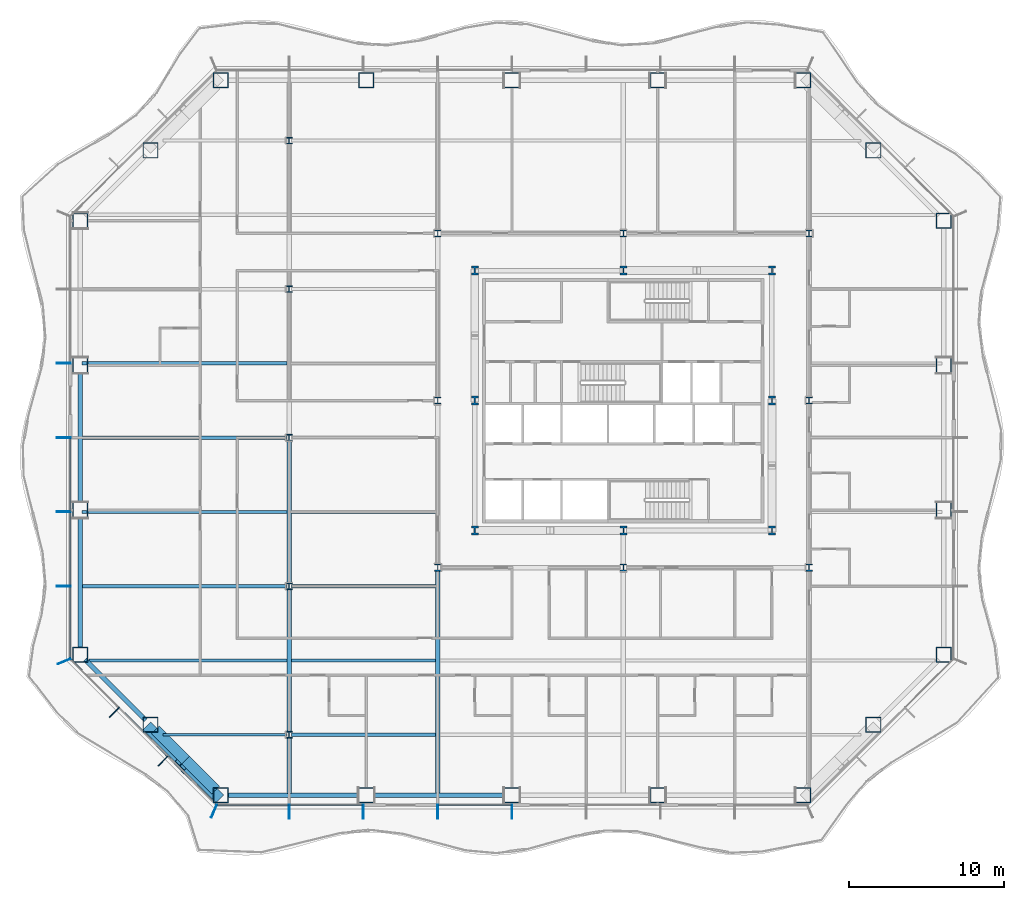
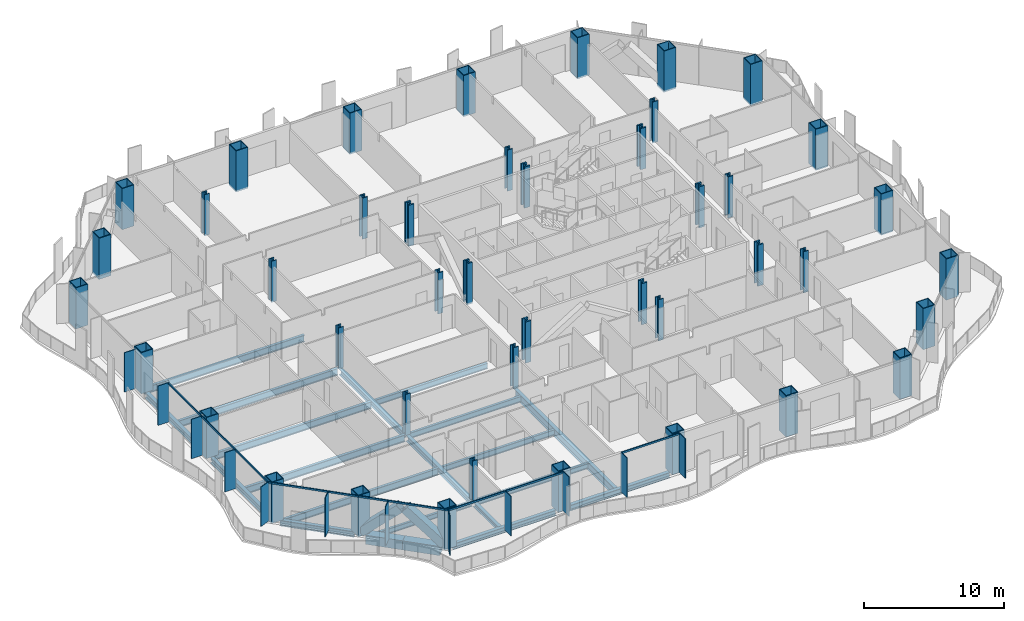
# One storey, part 1 of 21: 43 columns, 23 members, 21 beams, 3 elements without a shape of their own.
"""IFC4 building model written with IfcOpenShell, lengths in metres."""

import ifcopenshell
import ifcopenshell.guid

model = None  # the IFC model being written
_history = None  # IfcOwnerHistory: only IFC2X3 demands one
_inside = {}  # id of a spatial element -> (the spatial element, [elements in it])
_under = {}  # id of a project, library or spatial element -> (it, [spatial elements below it])
_declared = {}  # id of a project -> (the project, [libraries it declares])
_typed = {}  # id of a type object -> (the type object, [elements of that type])
_made_of = {}  # id of a material, layer set ... -> (it, [elements and type objects made of it])


def new_model(schema):
    """Start an empty IFC model of exactly this schema.

    Asked for "IFC4X3", IfcOpenShell would pick the latest addendum, in which some entities
    have other attributes; the version numbers below select the first issue.
    IFC2X3 requires an IfcOwnerHistory on every rooted entity: one is made here for all.
    """
    global model, _history
    if schema == "IFC4X3":
        model = ifcopenshell.file(schema_version=(4, 3, 0, 0))
    else:
        model = ifcopenshell.file(schema=schema)
    _inside.clear()
    _under.clear()
    _declared.clear()
    _typed.clear()
    _made_of.clear()
    _history = None
    if model.schema == "IFC2X3":
        org = make("IfcOrganization", Name="unknown")
        user = make(
            "IfcPersonAndOrganization",
            ThePerson=make("IfcPerson", FamilyName="unknown"),
            TheOrganization=org,
        )
        app = make(
            "IfcApplication",
            ApplicationDeveloper=org,
            Version="unknown",
            ApplicationFullName="unknown",
            ApplicationIdentifier="unknown",
        )
        _history = make(
            "IfcOwnerHistory",
            OwningUser=user,
            OwningApplication=app,
            ChangeAction="ADDED",
            CreationDate=0,
        )
    return model


def make(cls, **values):
    """One entity of the class cls with the attributes given. An attribute that is None is left unset."""
    return model.create_entity(
        cls, **{name: value for name, value in values.items() if value is not None}
    )


def rooted(cls, **values):
    """An entity with a GlobalId (a new one), such as an element, a storey or a relation."""
    return make(cls, GlobalId=ifcopenshell.guid.new(), OwnerHistory=_history, **values)


def si_unit(unit_type, name, prefix=None):
    """IfcSIUnit, for example si_unit("LENGTHUNIT", "METRE", prefix="MILLI")."""
    return make("IfcSIUnit", UnitType=unit_type, Prefix=prefix, Name=name)


def assignment(units):
    """IfcUnitAssignment: the units of a project."""
    return None if units is None else make("IfcUnitAssignment", Units=units)


def point(xyz):
    """IfcCartesianPoint."""
    return None if xyz is None else make("IfcCartesianPoint", Coordinates=xyz)


def direction(xyz):
    """IfcDirection."""
    return None if xyz is None else make("IfcDirection", DirectionRatios=xyz)


def frame(location, z_axis=None, x_axis=None):
    """IfcAxis2Placement3D, a coordinate frame: its origin and axes. An axis left out is left unset."""
    return make(
        "IfcAxis2Placement3D",
        Location=point(location),
        Axis=direction(z_axis),
        RefDirection=direction(x_axis),
    )


def frame_2d(location, x_axis=None):
    """IfcAxis2Placement2D, a coordinate frame in the plane: its origin and x axis."""
    return make(
        "IfcAxis2Placement2D", Location=point(location), RefDirection=direction(x_axis)
    )


def origin():
    """The frame at (0, 0, 0) with its axes left unset."""
    return frame((0.0, 0.0, 0.0))


def origin_2d():
    """The frame at (0, 0) in the plane with its x axis left unset."""
    return frame_2d((0.0, 0.0))


def place(relative_to, where):
    """IfcLocalPlacement: puts the frame where relative to a parent placement (None: the world)."""
    return make(
        "IfcLocalPlacement", PlacementRelTo=relative_to, RelativePlacement=where
    )


def context(
    kind, dimensions, precision=None, world=None, true_north=None, identifier=None
):
    """IfcGeometricRepresentationContext, for example the 3D "Model" context."""
    return make(
        "IfcGeometricRepresentationContext",
        ContextIdentifier=identifier,
        ContextType=kind,
        CoordinateSpaceDimension=dimensions,
        Precision=precision,
        WorldCoordinateSystem=world,
        TrueNorth=true_north,
    )


def subcontext(parent, identifier, kind, view, scale=None):
    """IfcGeometricRepresentationSubContext, for example "Body" below "Model"."""
    return make(
        "IfcGeometricRepresentationSubContext",
        ContextIdentifier=identifier,
        ContextType=kind,
        ParentContext=parent,
        TargetScale=scale,
        TargetView=view,
    )


def project(units=None, contexts=None):
    """IfcProject with its units and contexts."""
    return rooted(
        "IfcProject",
        Name="project",
        RepresentationContexts=contexts,
        UnitsInContext=assignment(units),
    )


def spatial(cls, under=None, at=None, **own):
    """A site, building, storey or space (cls), placed at a placement, below another one or the project."""
    s = rooted(cls, ObjectPlacement=at, **own)
    if under is not None:
        _under.setdefault(under.id(), (under, []))[1].append(s)
    return s


def profile(cls, at=None, kind="AREA", **sizes):
    """A parametric profile (cls). Its sizes go by their IFC names, for example OverallWidth=200.0."""
    return make(cls, ProfileType=kind, Position=at, **sizes)


def rectangle(**sizes):
    """IfcRectangleProfileDef."""
    return profile("IfcRectangleProfileDef", **sizes)


def hollow_rectangle(**sizes):
    """IfcRectangleHollowProfileDef."""
    return profile("IfcRectangleHollowProfileDef", **sizes)


def i_section(**sizes):
    """IfcIShapeProfileDef."""
    return profile("IfcIShapeProfileDef", **sizes)


def extrude(swept, where, along, depth):
    """IfcExtrudedAreaSolid: the profile swept, set in the frame where, extruded along a direction by depth."""
    return make(
        "IfcExtrudedAreaSolid",
        SweptArea=swept,
        Position=where,
        ExtrudedDirection=direction(along),
        Depth=depth,
    )


def shape(context_of_items, identifier, shape_type, items):
    """IfcShapeRepresentation: the items that make up one representation, for example the "Body"."""
    return make(
        "IfcShapeRepresentation",
        ContextOfItems=context_of_items,
        RepresentationIdentifier=identifier,
        RepresentationType=shape_type,
        Items=items,
    )


def material(Name=None, Category=None):
    """IfcMaterial."""
    return make("IfcMaterial", Name=Name, Category=Category)


def material_profile(
    of_material, cross_section, Name=None, Category=None, Priority=None
):
    """IfcMaterialProfile: a cross section and its material."""
    return make(
        "IfcMaterialProfile",
        Name=Name,
        Material=of_material,
        Profile=cross_section,
        Priority=Priority,
        Category=Category,
    )


def profile_set(profiles, Name=None, composite=None):
    """IfcMaterialProfileSet."""
    return make(
        "IfcMaterialProfileSet",
        Name=Name,
        MaterialProfiles=profiles,
        CompositeProfile=composite,
    )


def made_of(thing, what):
    """Note that an element or type object is made of a material, layer set ...; save() writes the relation."""
    if what is not None:
        _made_of.setdefault(what.id(), (what, []))[1].append(thing)
    return thing


def type_object(cls, material=None, **own):
    """A type object (cls), such as IfcWallType, which elements share."""
    return made_of(rooted(cls, **own), material)


def element(
    cls,
    number,
    at=None,
    inside=None,
    cuts=None,
    type_object=None,
    material=None,
    context=None,
    identifier="Body",
    shape_type=None,
    held_by="IfcProductDefinitionShape",
    body=None,
    shapes=None,
    **own,
):
    """One element of the class cls, such as IfcWall. Its Tag is "e" and its number.

    at: its placement. inside: the storey or other place that contains it. cuts: it is an
    opening in that element (IfcRelVoidsElement). A single representation is given by context,
    identifier, shape_type and body (its items); several are given by shapes. held_by: the class
    of the entity that holds the representations. save() writes the other relations.
    """
    e = rooted(cls, Tag="e%d" % number, ObjectPlacement=at, **own)
    if body is not None:
        shapes = [shape(context, identifier, shape_type, body)]
    if shapes is not None:
        e.Representation = make(held_by, Representations=shapes)
    if inside is not None:
        _inside.setdefault(inside.id(), (inside, []))[1].append(e)
    if cuts is not None:
        rooted(
            "IfcRelVoidsElement", RelatingBuildingElement=cuts, RelatedOpeningElement=e
        )
    if type_object is not None:
        _typed.setdefault(type_object.id(), (type_object, []))[1].append(e)
    return made_of(e, material)


def aggregate(whole, parts):
    """IfcRelAggregates: a whole, such as a stair, and the parts it consists of."""
    return rooted("IfcRelAggregates", RelatingObject=whole, RelatedObjects=parts)


def save(model, path):
    """Write the relations noted so far, then the file.

    IfcRelAggregates (storeys below a building ...), IfcRelContainedInSpatialStructure (elements
    in a storey), IfcRelDefinesByType, IfcRelAssociatesMaterial and IfcRelDeclares: one each for
    every whole, place, type object, material and project.
    """
    for whole, parts in _under.values():
        aggregate(whole, parts)
    for where, things in _inside.values():
        rooted(
            "IfcRelContainedInSpatialStructure",
            RelatedElements=things,
            RelatingStructure=where,
        )
    for kind, things in _typed.values():
        rooted("IfcRelDefinesByType", RelatedObjects=things, RelatingType=kind)
    for what, things in _made_of.values():
        rooted("IfcRelAssociatesMaterial", RelatedObjects=things, RelatingMaterial=what)
    for by, libraries in _declared.values():
        rooted("IfcRelDeclares", RelatingContext=by, RelatedDefinitions=libraries)
    model.write(path)


model = new_model("IFC4")

# Units and contexts
model_context = context("Model", 3, precision=1e-05, world=origin(), true_north=direction((0.0, 1.0)))
body_context = subcontext(model_context, "Body", "Model", "MODEL_VIEW")
ifc_project = project(units=[si_unit("LENGTHUNIT", "METRE"), si_unit("AREAUNIT", "SQUARE_METRE"), si_unit("VOLUMEUNIT", "CUBIC_METRE"), si_unit("PLANEANGLEUNIT", "RADIAN"), si_unit("MASSUNIT", "GRAM", prefix="KILO")], contexts=[model_context])

# Site, building, storey
site_placement = place(None, origin())
site = spatial("IfcSite", under=ifc_project, at=site_placement, CompositionType="ELEMENT")
building_placement = place(site_placement, origin())
building = spatial("IfcBuilding", under=site, at=building_placement, Name="Cairn Pilgrim Tower", CompositionType="ELEMENT")
storey_placement = place(building_placement, frame((0.0, 0.0, 47.39990234375)))
storey = spatial("IfcBuildingStorey", under=building, at=storey_placement, Name="L09", CompositionType="ELEMENT", Elevation=47.39990234375)

# Columns
ifc_material_1 = material(Name="Structural steel S460M", Category="steel")
ifc_material_profile_1 = material_profile(ifc_material_1, hollow_rectangle(XDim=1.0, YDim=1.0, WallThickness=0.06005859375, at=origin_2d()), Name="BOX 1000x1000x60")
ifc_profile_set_1 = profile_set([ifc_material_profile_1], Name="Structural steel S460M")
column_type_1 = type_object("IfcColumnType", Name="BOX 1000x1000x60", PredefinedType="COLUMN", material=ifc_profile_set_1)
for number, where, z_axis, x_axis, name in (
    (1, (-18.8271484375, -23.10009765625, -0.14990234375), (0.0, 0.0, 1.0), (1.0, 0.0, 0.0), "PC1-S1"),
    (2, (-9.41357421875, -23.10009765625, -0.14990234375), (0.0, 0.0, 1.0), (1.0, 0.0, 0.0), "PC1-S2"),
    (3, (0.0, -23.10009765625, -0.14990234375), (0.0, 0.0, 1.0), (1.0, 0.0, 0.0), "PC1-S3"),
    (4, (9.41357421875, -23.10009765625, -0.14990234375), (0.0, 0.0, 1.0), (1.0, 0.0, 0.0), "PC1-S4"),
    (5, (18.8271484375, -23.10009765625, -0.14990234375), (0.0, 0.0, 1.0), (1.0, 0.0, 0.0), "PC1-SE1"),
    (6, (23.363525390625, -18.563720703125, -0.14990234375), (0.0, 0.0, 1.0), (1.0, 0.0, 0.0), "PC1-SE2"),
    (7, (27.89990234375, -14.027099609375, -0.14990234375), (0.0, 0.0, 1.0), (1.0, 0.0, 0.0), "PC1-E1"),
    (8, (27.89990234375, -4.67578125, -0.14990234375), (0.0, 0.0, 1.0), (1.0, 0.0, 0.0), "PC1-E2"),
    (9, (27.89990234375, 4.67578125, -0.14990234375), (0.0, 0.0, 1.0), (1.0, 0.0, 0.0), "PC1-E3"),
    (10, (27.89990234375, 14.027099609375, -0.14990234375), (0.0, 0.0, 1.0), (1.0, 0.0, 0.0), "PC1-NE1"),
    (11, (23.363525390625, 18.563720703125, -0.14990234375), (0.0, 0.0, 1.0), (1.0, 0.0, 0.0), "PC1-NE2"),
    (12, (18.8271484375, 23.10009765625, -0.14990234375), (0.0, 0.0, 1.0), (1.0, 0.0, 0.0), "PC1-N1"),
    (13, (9.41357421875, 23.10009765625, -0.14990234375), (0.0, 0.0, 1.0), (1.0, 0.0, 0.0), "PC1-N2"),
    (14, (0.0, 23.10009765625, -0.14990234375), (0.0, 0.0, 1.0), (1.0, 0.0, 0.0), "PC1-N3"),
    (15, (-9.41357421875, 23.10009765625, -0.14990234375), (0.0, 0.0, 1.0), (1.0, 0.0, 0.0), "PC1-N4"),
    (16, (-18.8271484375, 23.10009765625, -0.14990234375), (0.0, 0.0, 1.0), (1.0, 0.0, 0.0), "PC1-NW1"),
    (17, (-23.363525390625, 18.563720703125, -0.14990234375), (0.0, 0.0, 1.0), (1.0, 0.0, 0.0), "PC1-NW2"),
    (18, (-27.89990234375, 14.027099609375, -0.14990234375), (0.0, 0.0, 1.0), (1.0, 0.0, 0.0), "PC1-W1"),
    (19, (-27.89990234375, 4.67578125, -0.14990234375), (0.0, 0.0, 1.0), (1.0, 0.0, 0.0), "PC1-W2"),
    (20, (-27.89990234375, -4.67578125, -0.14990234375), (0.0, 0.0, 1.0), (1.0, 0.0, 0.0), "PC1-W3"),
    (21, (-27.89990234375, -14.027099609375, -0.14990234375), (0.0, 0.0, 1.0), (1.0, 0.0, 0.0), "PC1-SW1"),
    (22, (-23.363525390625, -18.563720703125, -0.14990234375), (0.0, 0.0, 1.0), (1.0, 0.0, 0.0), "PC1-SW2"),
):
    element("IfcColumn", number, at=place(storey_placement, frame(where, z_axis=z_axis, x_axis=x_axis)), inside=storey, type_object=column_type_1, Name=name, PredefinedType="COLUMN", context=body_context, shape_type="SweptSolid", body=[
        extrude(hollow_rectangle(XDim=1.0, YDim=1.0, WallThickness=0.06005859375, at=origin_2d()), origin(), (0.0, 0.0, 1.0), 3.60009765625),
    ])
ifc_material_profile_2 = material_profile(ifc_material_1, i_section(OverallWidth=0.4541015625, OverallDepth=0.569091796875, WebThickness=0.077880859375, FlangeThickness=0.125, FilletRadius=0.014892578125, at=origin_2d()), Name="HD 400x1086")
ifc_profile_set_2 = profile_set([ifc_material_profile_2], Name="Structural steel S460M")
column_type_2 = type_object("IfcColumnType", Name="HD 400x1086", PredefinedType="COLUMN", material=ifc_profile_set_2)
for number, where, z_axis, x_axis, name in (
    (23, (-2.39990234375, -6.0, -0.14990234375), (0.0, 0.0, 1.0), (1.0, 0.0, 0.0), "KC-1"),
    (24, (7.199951171875, -6.0, -0.14990234375), (0.0, 0.0, 1.0), (1.0, 0.0, 0.0), "KC-2"),
    (25, (16.800048828125, -6.0, -0.14990234375), (0.0, 0.0, 1.0), (1.0, 0.0, 0.0), "KC-3"),
    (26, (-2.39990234375, 2.39990234375, -0.14990234375), (0.0, 0.0, 1.0), (1.0, 0.0, 0.0), "KC-4"),
    (27, (16.800048828125, 2.39990234375, -0.14990234375), (0.0, 0.0, 1.0), (1.0, 0.0, 0.0), "KC-5"),
    (28, (-2.39990234375, 10.800048828125, -0.14990234375), (0.0, 0.0, 1.0), (1.0, 0.0, 0.0), "KC-6"),
    (29, (7.199951171875, 10.800048828125, -0.14990234375), (0.0, 0.0, 1.0), (1.0, 0.0, 0.0), "KC-7"),
    (30, (16.800048828125, 10.800048828125, -0.14990234375), (0.0, 0.0, 1.0), (1.0, 0.0, 0.0), "KC-8"),
):
    element("IfcColumn", number, at=place(storey_placement, frame(where, z_axis=z_axis, x_axis=x_axis)), inside=storey, type_object=column_type_2, Name=name, PredefinedType="COLUMN", context=body_context, shape_type="SweptSolid", body=[
        extrude(i_section(OverallWidth=0.4541015625, OverallDepth=0.569091796875, WebThickness=0.077880859375, FlangeThickness=0.125, FilletRadius=0.014892578125, at=origin_2d()), origin(), (0.0, 0.0, 1.0), 3.60009765625),
    ])
ifc_material_profile_3 = material_profile(ifc_material_1, i_section(OverallWidth=0.408935546875, OverallDepth=0.425048828125, WebThickness=0.03271484375, FlangeThickness=0.052490234375, FilletRadius=0.014892578125, at=origin_2d()), Name="HD 400x421")
ifc_profile_set_3 = profile_set([ifc_material_profile_3], Name="Structural steel S460M")
column_type_3 = type_object("IfcColumnType", Name="HD 400x421", PredefinedType="COLUMN", material=ifc_profile_set_3)
for number, where, z_axis, x_axis, name in (
    (31, (-14.39990234375, -19.199951171875, -0.14990234375), (0.0, 0.0, 1.0), (1.0, 0.0, 0.0), "WC-WW-4"),
    (32, (-14.39990234375, -9.60009765625, -0.14990234375), (0.0, 0.0, 1.0), (1.0, 0.0, 0.0), "WC-WW-2"),
    (33, (-14.39990234375, 0.0, -0.14990234375), (0.0, 0.0, 1.0), (1.0, 0.0, 0.0), "WC-WW+0"),
    (34, (-14.39990234375, 9.60009765625, -0.14990234375), (0.0, 0.0, 1.0), (1.0, 0.0, 0.0), "WC-WW+2"),
    (35, (-14.39990234375, 19.199951171875, -0.14990234375), (0.0, 0.0, 1.0), (1.0, 0.0, 0.0), "WC-WW+4"),
):
    element("IfcColumn", number, at=place(storey_placement, frame(where, z_axis=z_axis, x_axis=x_axis)), inside=storey, type_object=column_type_3, Name=name, PredefinedType="COLUMN", context=body_context, shape_type="SweptSolid", body=[
        extrude(i_section(OverallWidth=0.408935546875, OverallDepth=0.425048828125, WebThickness=0.03271484375, FlangeThickness=0.052490234375, FilletRadius=0.014892578125, at=origin_2d()), origin(), (0.0, 0.0, 1.0), 3.60009765625),
    ])
ifc_material_profile_4 = material_profile(ifc_material_1, i_section(OverallWidth=0.424072265625, OverallDepth=0.47412109375, WebThickness=0.047607421875, FlangeThickness=0.0771484375, FilletRadius=0.014892578125, at=origin_2d()), Name="HD 400x634")
ifc_profile_set_4 = profile_set([ifc_material_profile_4], Name="Structural steel S460M")
column_type_4 = type_object("IfcColumnType", Name="HD 400x634", PredefinedType="COLUMN", material=ifc_profile_set_4)
for number, where, z_axis, x_axis, name in (
    (36, (-4.800048828125, -8.39990234375, -0.14990234375), (0.0, 0.0, 1.0), (1.0, 0.0, 0.0), "IC-1"),
    (37, (7.199951171875, -8.39990234375, -0.14990234375), (0.0, 0.0, 1.0), (1.0, 0.0, 0.0), "IC-2"),
    (38, (19.199951171875, -8.39990234375, -0.14990234375), (0.0, 0.0, 1.0), (1.0, 0.0, 0.0), "IC-3"),
    (39, (-4.800048828125, 2.39990234375, -0.14990234375), (0.0, 0.0, 1.0), (1.0, 0.0, 0.0), "IC-4"),
    (40, (19.199951171875, 2.39990234375, -0.14990234375), (0.0, 0.0, 1.0), (1.0, 0.0, 0.0), "IC-5"),
    (41, (-4.800048828125, 13.199951171875, -0.14990234375), (0.0, 0.0, 1.0), (1.0, 0.0, 0.0), "IC-6"),
    (42, (7.199951171875, 13.199951171875, -0.14990234375), (0.0, 0.0, 1.0), (1.0, 0.0, 0.0), "IC-7"),
    (43, (19.199951171875, 13.199951171875, -0.14990234375), (0.0, 0.0, 1.0), (1.0, 0.0, 0.0), "IC-8"),
):
    element("IfcColumn", number, at=place(storey_placement, frame(where, z_axis=z_axis, x_axis=x_axis)), inside=storey, type_object=column_type_4, Name=name, PredefinedType="COLUMN", context=body_context, shape_type="SweptSolid", body=[
        extrude(i_section(OverallWidth=0.424072265625, OverallDepth=0.47412109375, WebThickness=0.047607421875, FlangeThickness=0.0771484375, FilletRadius=0.014892578125, at=origin_2d()), origin(), (0.0, 0.0, 1.0), 3.60009765625),
    ])

# Members
ifc_material_profile_5 = material_profile(ifc_material_1, hollow_rectangle(XDim=0.699951171875, YDim=0.699951171875, WallThickness=0.0400390625, at=origin_2d()), Name="BOX 700x700x40")
ifc_profile_set_5 = profile_set([ifc_material_profile_5], Name="Structural steel S460M")
member_type_1 = type_object("IfcMemberType", Name="BOX 700x700x40 BRACE", PredefinedType="BRACE", material=ifc_profile_set_5)
member_1_placement = place(storey_placement, frame((-23.44482421875, -18.786376953125, 0.150146484375), z_axis=(0.528090425698, -0.528090425698, 0.665012033404), x_axis=(0.707106781187, 0.707106781187, 0.0)))
element("IfcMember", 44, at=member_1_placement, inside=storey, type_object=member_type_1, Name="XB-SW2-S1-1", PredefinedType="BRACE", context=body_context, shape_type="SweptSolid", body=[
    extrude(hollow_rectangle(XDim=0.699951171875, YDim=0.699951171875, WallThickness=0.0400390625, at=origin_2d()), origin(), (0.0, 0.0, 1.0), 3.899658203125),
])
member_2_placement = place(storey_placement, frame((-19.0498046875, -23.181396484375, 0.150146484375), z_axis=(-0.528118110354, 0.528118110354, 0.664968061663), x_axis=(-0.707106781187, -0.707106781187, 0.0)))
element("IfcMember", 45, at=member_2_placement, inside=storey, type_object=member_type_1, Name="XB-SW2-S1-2", PredefinedType="BRACE", context=body_context, shape_type="SweptSolid", body=[
    extrude(hollow_rectangle(XDim=0.699951171875, YDim=0.699951171875, WallThickness=0.0400390625, at=origin_2d()), origin(), (0.0, 0.0, 1.0), 3.89990234375),
])

# Beams
ifc_material_2 = material(Name="Structural steel S355J2", Category="steel")
ifc_material_profile_6 = material_profile(ifc_material_2, hollow_rectangle(XDim=0.699951171875, YDim=0.800048828125, WallThickness=0.0400390625, at=origin_2d()), Name="BOX 700x800x40")
ifc_profile_set_6 = profile_set([ifc_material_profile_6], Name="Structural steel S355J2")
beam_type_1 = type_object("IfcBeamType", Name="BOX 700x800x40 RING GIRDER", PredefinedType="SPANDREL", material=ifc_profile_set_6)
for number, where, z_axis, x_axis, name in (
    (46, (-23.04541015625, -18.8818359375, -0.5498046875), (0.707106781187, -0.707106781187, 0.0), (0.707106781187, 0.707106781187, 0.0), "RG1-SW2-S1-1"),
    (47, (-21.095458984375, -20.831787109375, -0.5498046875), (0.707106781187, -0.707106781187, 0.0), (0.707106781187, 0.707106781187, 0.0), "RG1-SW2-S1-2"),
):
    element("IfcBeam", number, at=place(storey_placement, frame(where, z_axis=z_axis, x_axis=x_axis)), inside=storey, type_object=beam_type_1, Name=name, PredefinedType="SPANDREL", context=body_context, shape_type="SweptSolid", body=[
        extrude(hollow_rectangle(XDim=0.699951171875, YDim=0.800048828125, WallThickness=0.0400390625, at=origin_2d()), origin(), (0.0, 0.0, 1.0), 2.757568359375),
    ])

# Curtain wall, members
ifc_material_3 = material(Name="Aluminium alloy 6063-T6 bronze anodised with Bronze tinted laminated low-E glass 8+16+8.8", Category="aluminium")
curtain_wall_type_1 = type_object("IfcCurtainWallType", Name="TOWER STICK CURTAIN WALL NS", PredefinedType="NOTDEFINED", material=ifc_material_3)
curtain_wall_1_placement = place(storey_placement, origin())
curtain_wall_1 = element("IfcCurtainWall", 48, at=curtain_wall_1_placement, inside=storey, type_object=curtain_wall_type_1, Name="Tower Stick Curtain Wall Ns S", PredefinedType="NOTDEFINED")
ifc_material_4 = material(Name="Aluminium alloy 6063-T6 bronze anodised", Category="aluminium")
ifc_material_profile_7 = material_profile(ifc_material_4, rectangle(XDim=0.89990234375, YDim=0.06005859375, at=origin_2d()), Name="FIN MULLION 60x900 BRONZE")
ifc_profile_set_7 = profile_set([ifc_material_profile_7], Name="Aluminium alloy 6063-T6 bronze anodised")
member_type_2 = type_object("IfcMemberType", Name="FIN MULLION 60x900 BRONZE", PredefinedType="MULLION", material=ifc_profile_set_7)
member_3_placement = place(storey_placement, frame((-19.257080078125, -24.137939453125, 0.0), z_axis=(0.0, 0.0, 1.0), x_axis=(-0.382683432365, -0.923879532511, 0.0)))
member_3 = element("IfcMember", 49, at=member_3_placement, type_object=member_type_2, Name="Fin mullion S1", PredefinedType="MULLION", context=body_context, shape_type="SweptSolid", body=[
    extrude(rectangle(XDim=0.89990234375, YDim=0.06005859375, at=origin_2d()), origin(), (0.0, 0.0, 1.0), 3.4501953125),
])
member_4_placement = place(storey_placement, frame((-14.39990234375, -24.169921875, 0.0), z_axis=(0.0, 0.0, 1.0), x_axis=(0.0, -1.0, 0.0)))
member_4 = element("IfcMember", 50, at=member_4_placement, type_object=member_type_2, Name="Fin mullion S2", PredefinedType="MULLION", context=body_context, shape_type="SweptSolid", body=[
    extrude(rectangle(XDim=0.89990234375, YDim=0.06005859375, at=origin_2d()), origin(), (0.0, 0.0, 1.0), 3.4501953125),
])
member_5_placement = place(storey_placement, frame((-9.60009765625, -24.169921875, 0.0), z_axis=(0.0, 0.0, 1.0), x_axis=(0.0, -1.0, 0.0)))
member_5 = element("IfcMember", 51, at=member_5_placement, type_object=member_type_2, Name="Fin mullion S3", PredefinedType="MULLION", context=body_context, shape_type="SweptSolid", body=[
    extrude(rectangle(XDim=0.89990234375, YDim=0.06005859375, at=origin_2d()), origin(), (0.0, 0.0, 1.0), 3.4501953125),
])
member_6_placement = place(storey_placement, frame((-4.800048828125, -24.169921875, 0.0), z_axis=(0.0, 0.0, 1.0), x_axis=(0.0, -1.0, 0.0)))
member_6 = element("IfcMember", 52, at=member_6_placement, type_object=member_type_2, Name="Fin mullion S4", PredefinedType="MULLION", context=body_context, shape_type="SweptSolid", body=[
    extrude(rectangle(XDim=0.89990234375, YDim=0.06005859375, at=origin_2d()), origin(), (0.0, 0.0, 1.0), 3.4501953125),
])
member_7_placement = place(storey_placement, frame((0.0, -24.169921875, 0.0), z_axis=(0.0, 0.0, 1.0), x_axis=(0.0, -1.0, 0.0)))
member_7 = element("IfcMember", 53, at=member_7_placement, type_object=member_type_2, Name="Fin mullion S5", PredefinedType="MULLION", context=body_context, shape_type="SweptSolid", body=[
    extrude(rectangle(XDim=0.89990234375, YDim=0.06005859375, at=origin_2d()), origin(), (0.0, 0.0, 1.0), 3.4501953125),
])

curtain_wall_type_2 = type_object("IfcCurtainWallType", Name="TOWER STICK CURTAIN WALL EW", PredefinedType="NOTDEFINED", material=ifc_material_3)
curtain_wall_2_placement = place(storey_placement, origin())
curtain_wall_2 = element("IfcCurtainWall", 54, at=curtain_wall_2_placement, inside=storey, type_object=curtain_wall_type_2, Name="Tower Stick Curtain Wall Ew W", PredefinedType="NOTDEFINED")
member_8_placement = place(storey_placement, frame((-28.969970703125, 4.800048828125, 0.0), z_axis=(0.0, 0.0, 1.0), x_axis=(-1.0, 0.0, 0.0)))
member_8 = element("IfcMember", 55, at=member_8_placement, type_object=member_type_2, Name="Fin mullion W3", PredefinedType="MULLION", context=body_context, shape_type="SweptSolid", body=[
    extrude(rectangle(XDim=0.89990234375, YDim=0.06005859375, at=origin_2d()), origin(), (0.0, 0.0, 1.0), 3.4501953125),
])
member_9_placement = place(storey_placement, frame((-28.969970703125, 0.0, 0.0), z_axis=(0.0, 0.0, 1.0), x_axis=(-1.0, 0.0, 0.0)))
member_9 = element("IfcMember", 56, at=member_9_placement, type_object=member_type_2, Name="Fin mullion W4", PredefinedType="MULLION", context=body_context, shape_type="SweptSolid", body=[
    extrude(rectangle(XDim=0.89990234375, YDim=0.06005859375, at=origin_2d()), origin(), (0.0, 0.0, 1.0), 3.4501953125),
])
member_10_placement = place(storey_placement, frame((-28.969970703125, -4.800048828125, 0.0), z_axis=(0.0, 0.0, 1.0), x_axis=(-1.0, 0.0, 0.0)))
member_10 = element("IfcMember", 57, at=member_10_placement, type_object=member_type_2, Name="Fin mullion W5", PredefinedType="MULLION", context=body_context, shape_type="SweptSolid", body=[
    extrude(rectangle(XDim=0.89990234375, YDim=0.06005859375, at=origin_2d()), origin(), (0.0, 0.0, 1.0), 3.4501953125),
])
member_11_placement = place(storey_placement, frame((-28.969970703125, -9.60009765625, 0.0), z_axis=(0.0, 0.0, 1.0), x_axis=(-1.0, 0.0, 0.0)))
member_11 = element("IfcMember", 58, at=member_11_placement, type_object=member_type_2, Name="Fin mullion W6", PredefinedType="MULLION", context=body_context, shape_type="SweptSolid", body=[
    extrude(rectangle(XDim=0.89990234375, YDim=0.06005859375, at=origin_2d()), origin(), (0.0, 0.0, 1.0), 3.4501953125),
])

curtain_wall_type_3 = type_object("IfcCurtainWallType", Name="CHAMFER CORNER CURTAIN WALL", PredefinedType="NOTDEFINED", material=ifc_material_3)
curtain_wall_3_placement = place(storey_placement, origin())
curtain_wall_3 = element("IfcCurtainWall", 59, at=curtain_wall_3_placement, inside=storey, type_object=curtain_wall_type_3, Name="Chamfer Corner Curtain Wall SW", PredefinedType="NOTDEFINED")
member_12_placement = place(storey_placement, frame((-28.93798828125, -14.457275390625, 0.0), z_axis=(0.0, 0.0, 1.0), x_axis=(-0.923879532511, -0.382683432365, 0.0)))
member_12 = element("IfcMember", 60, at=member_12_placement, type_object=member_type_2, Name="Fin mullion SW1", PredefinedType="MULLION", context=body_context, shape_type="SweptSolid", body=[
    extrude(rectangle(XDim=0.89990234375, YDim=0.06005859375, at=origin_2d()), origin(), (0.0, 0.0, 1.0), 3.4501953125),
])
member_13_placement = place(storey_placement, frame((-25.69580078125, -17.74462890625, 0.0), z_axis=(0.0, 0.0, 1.0), x_axis=(-0.707106781187, -0.707106781187, 0.0)))
member_13 = element("IfcMember", 61, at=member_13_placement, type_object=member_type_2, Name="Fin mullion SW2", PredefinedType="MULLION", context=body_context, shape_type="SweptSolid", body=[
    extrude(rectangle(XDim=0.89990234375, YDim=0.06005859375, at=origin_2d()), origin(), (0.0, 0.0, 1.0), 3.4501953125),
])
member_14_placement = place(storey_placement, frame((-22.544677734375, -20.895751953125, 0.0), z_axis=(0.0, 0.0, 1.0), x_axis=(-0.707106781187, -0.707106781187, 0.0)))
member_14 = element("IfcMember", 62, at=member_14_placement, type_object=member_type_2, Name="Fin mullion SW3", PredefinedType="MULLION", context=body_context, shape_type="SweptSolid", body=[
    extrude(rectangle(XDim=0.89990234375, YDim=0.06005859375, at=origin_2d()), origin(), (0.0, 0.0, 1.0), 3.4501953125),
])

# Beams
ifc_material_profile_8 = material_profile(ifc_material_2, i_section(OverallWidth=0.300048828125, OverallDepth=0.39990234375, WebThickness=0.013427734375, FlangeThickness=0.02392578125, FilletRadius=0.027099609375, at=origin_2d()), Name="HEB 400")
ifc_profile_set_8 = profile_set([ifc_material_profile_8], Name="Structural steel S355J2")
beam_type_2 = type_object("IfcBeamType", Name="HEB 400 GIRDER", PredefinedType="BEAM", material=ifc_profile_set_8)
beam_1_placement = place(storey_placement, frame((-14.39990234375, -22.97998046875, -0.349853515625), z_axis=(0.0, 1.0, 0.0), x_axis=(-1.0, 0.0, 0.0)))
element("IfcBeam", 63, at=beam_1_placement, inside=storey, type_object=beam_type_2, Name="PG1-1", PredefinedType="BEAM", context=body_context, shape_type="SweptSolid", body=[
    extrude(i_section(OverallWidth=0.300048828125, OverallDepth=0.39990234375, WebThickness=0.013427734375, FlangeThickness=0.02392578125, FilletRadius=0.027099609375, at=origin_2d()), origin(), (0.0, 0.0, 1.0), 3.575439453125),
])
ifc_material_profile_9 = material_profile(ifc_material_2, i_section(OverallWidth=0.300048828125, OverallDepth=0.5, WebThickness=0.014404296875, FlangeThickness=0.028076171875, FilletRadius=0.027099609375, at=origin_2d()), Name="HEB 500")
ifc_profile_set_9 = profile_set([ifc_material_profile_9], Name="Structural steel S355J2")
beam_type_3 = type_object("IfcBeamType", Name="HEB 500 GIRDER", PredefinedType="BEAM", material=ifc_profile_set_9)
beam_2_placement = place(storey_placement, frame((-14.39990234375, -18.99560546875, -0.39990234375), z_axis=(0.0, 1.0, 0.0), x_axis=(-1.0, 0.0, 0.0)))
element("IfcBeam", 64, at=beam_2_placement, inside=storey, type_object=beam_type_3, Name="PG1-2", PredefinedType="BEAM", context=body_context, shape_type="SweptSolid", body=[
    extrude(i_section(OverallWidth=0.300048828125, OverallDepth=0.5, WebThickness=0.014404296875, FlangeThickness=0.028076171875, FilletRadius=0.027099609375, at=origin_2d()), origin(), (0.0, 0.0, 1.0), 9.191162109375),
])
beam_3_placement = place(storey_placement, frame((-14.39990234375, -9.3955078125, -0.39990234375), z_axis=(0.0, 1.0, 0.0), x_axis=(-1.0, 0.0, 0.0)))
element("IfcBeam", 65, at=beam_3_placement, inside=storey, type_object=beam_type_3, Name="PG1-3", PredefinedType="BEAM", context=body_context, shape_type="SweptSolid", body=[
    extrude(i_section(OverallWidth=0.300048828125, OverallDepth=0.5, WebThickness=0.014404296875, FlangeThickness=0.028076171875, FilletRadius=0.027099609375, at=origin_2d()), origin(), (0.0, 0.0, 1.0), 9.19091796875),
])
ifc_material_profile_10 = material_profile(ifc_material_2, i_section(OverallWidth=0.300048828125, OverallDepth=0.5, WebThickness=0.014404296875, FlangeThickness=0.028076171875, FilletRadius=0.027099609375, at=origin_2d()), Name="HEB 500")
ifc_profile_set_10 = profile_set([ifc_material_profile_10], Name="Structural steel S355J2")
beam_type_4 = type_object("IfcBeamType", Name="HEB 500 RING GIRDER", PredefinedType="SPANDREL", material=ifc_profile_set_10)
for number, where, z_axis, x_axis, name in (
    (66, (-18.377197265625, -23.10009765625, -0.39990234375), (1.0, 0.0, 0.0), (0.0, 1.0, 0.0), "RG1-S1-S2"),
    (67, (-8.963623046875, -23.10009765625, -0.39990234375), (1.0, 0.0, 0.0), (0.0, 1.0, 0.0), "RG1-S2-S3"),
):
    element("IfcBeam", number, at=place(storey_placement, frame(where, z_axis=z_axis, x_axis=x_axis)), inside=storey, type_object=beam_type_4, Name=name, PredefinedType="SPANDREL", context=body_context, shape_type="SweptSolid", body=[
        extrude(i_section(OverallWidth=0.300048828125, OverallDepth=0.5, WebThickness=0.014404296875, FlangeThickness=0.028076171875, FilletRadius=0.027099609375, at=origin_2d()), origin(), (0.0, 0.0, 1.0), 8.513671875),
    ])
beam_4_placement = place(storey_placement, frame((-27.89990234375, 4.2255859375, -0.39990234375), z_axis=(0.0, -1.0, 0.0), x_axis=(1.0, 0.0, 0.0)))
element("IfcBeam", 68, at=beam_4_placement, inside=storey, type_object=beam_type_4, Name="RG1-W2-W3", PredefinedType="SPANDREL", context=body_context, shape_type="SweptSolid", body=[
    extrude(i_section(OverallWidth=0.300048828125, OverallDepth=0.5, WebThickness=0.014404296875, FlangeThickness=0.028076171875, FilletRadius=0.027099609375, at=origin_2d()), origin(), (0.0, 0.0, 1.0), 8.451171875),
])
beam_5_placement = place(storey_placement, frame((-27.89990234375, -5.125732421875, -0.39990234375), z_axis=(0.0, -1.0, 0.0), x_axis=(1.0, 0.0, 0.0)))
element("IfcBeam", 69, at=beam_5_placement, inside=storey, type_object=beam_type_4, Name="RG1-W3-SW1", PredefinedType="SPANDREL", context=body_context, shape_type="SweptSolid", body=[
    extrude(i_section(OverallWidth=0.300048828125, OverallDepth=0.5, WebThickness=0.014404296875, FlangeThickness=0.028076171875, FilletRadius=0.027099609375, at=origin_2d()), origin(), (0.0, 0.0, 1.0), 8.451416015625),
])
beam_6_placement = place(storey_placement, frame((-27.581787109375, -14.345458984375, -0.39990234375), z_axis=(0.707106781187, -0.707106781187, 0.0), x_axis=(0.707106781187, 0.707106781187, 0.0)))
element("IfcBeam", 70, at=beam_6_placement, inside=storey, type_object=beam_type_4, Name="RG1-SW1-SW2", PredefinedType="SPANDREL", context=body_context, shape_type="SweptSolid", body=[
    extrude(i_section(OverallWidth=0.300048828125, OverallDepth=0.5, WebThickness=0.014404296875, FlangeThickness=0.028076171875, FilletRadius=0.027099609375, at=origin_2d()), origin(), (0.0, 0.0, 1.0), 5.515380859375),
])
ifc_material_profile_11 = material_profile(ifc_material_2, i_section(OverallWidth=0.300048828125, OverallDepth=0.699951171875, WebThickness=0.01708984375, FlangeThickness=0.031982421875, FilletRadius=0.027099609375, at=origin_2d()), Name="HEB 700")
ifc_profile_set_11 = profile_set([ifc_material_profile_11], Name="Structural steel S355J2")
beam_type_5 = type_object("IfcBeamType", Name="HEB 700 GIRDER", PredefinedType="BEAM", material=ifc_profile_set_11)
beam_7_placement = place(storey_placement, frame((-4.800048828125, -22.97998046875, -0.5), z_axis=(0.0, 1.0, 0.0), x_axis=(-1.0, 0.0, 0.0)))
element("IfcBeam", 71, at=beam_7_placement, inside=storey, type_object=beam_type_5, Name="PG2-1", PredefinedType="BEAM", context=body_context, shape_type="SweptSolid", body=[
    extrude(i_section(OverallWidth=0.300048828125, OverallDepth=0.699951171875, WebThickness=0.01708984375, FlangeThickness=0.031982421875, FilletRadius=0.027099609375, at=origin_2d()), origin(), (0.0, 0.0, 1.0), 14.367919921875),
])
ifc_material_profile_12 = material_profile(ifc_material_2, i_section(OverallWidth=0.18994140625, OverallDepth=0.449951171875, WebThickness=0.009521484375, FlangeThickness=0.0146484375, FilletRadius=0.02099609375, at=origin_2d()), Name="IPE 450")
ifc_profile_set_12 = profile_set([ifc_material_profile_12], Name="Structural steel S355J2")
beam_type_6 = type_object("IfcBeamType", Name="IPE 450 SECONDARY BEAM", PredefinedType="JOIST", material=ifc_profile_set_12)
beam_8_placement = place(storey_placement, frame((-22.545166015625, -19.199951171875, -0.375), z_axis=(1.0, 0.0, 0.0), x_axis=(0.0, 1.0, 0.0)))
element("IfcBeam", 72, at=beam_8_placement, inside=storey, type_object=beam_type_6, Name="SB1-1", PredefinedType="JOIST", context=body_context, shape_type="SweptSolid", body=[
    extrude(i_section(OverallWidth=0.18994140625, OverallDepth=0.449951171875, WebThickness=0.009521484375, FlangeThickness=0.0146484375, FilletRadius=0.02099609375, at=origin_2d()), origin(), (0.0, 0.0, 1.0), 7.9951171875),
])
ifc_material_profile_13 = material_profile(ifc_material_2, i_section(OverallWidth=0.199951171875, OverallDepth=0.5, WebThickness=0.01025390625, FlangeThickness=0.01611328125, FilletRadius=0.02099609375, at=origin_2d()), Name="IPE 500")
ifc_profile_set_13 = profile_set([ifc_material_profile_13], Name="Structural steel S355J2")
beam_type_7 = type_object("IfcBeamType", Name="IPE 500 SECONDARY BEAM", PredefinedType="JOIST", material=ifc_profile_set_13)
for number, where, z_axis, x_axis, name in (
    (73, (-14.25, -19.199951171875, -0.39990234375), (1.0, 0.0, 0.0), (0.0, 1.0, 0.0), "SB1-2"),
    (74, (-14.25, -14.39990234375, -0.39990234375), (1.0, 0.0, 0.0), (0.0, 1.0, 0.0), "SB2-2"),
    (75, (-14.25, -9.60009765625, -0.39990234375), (1.0, 0.0, 0.0), (0.0, 1.0, 0.0), "SB3-2"),
    (76, (-14.25, -4.800048828125, -0.39990234375), (1.0, 0.0, 0.0), (0.0, 1.0, 0.0), "SB4-2"),
):
    element("IfcBeam", number, at=place(storey_placement, frame(where, z_axis=z_axis, x_axis=x_axis)), inside=storey, type_object=beam_type_7, Name=name, PredefinedType="JOIST", context=body_context, shape_type="SweptSolid", body=[
        extrude(i_section(OverallWidth=0.199951171875, OverallDepth=0.5, WebThickness=0.01025390625, FlangeThickness=0.01611328125, FilletRadius=0.02099609375, at=origin_2d()), origin(), (0.0, 0.0, 1.0), 9.300048828125),
    ])
ifc_material_profile_14 = material_profile(ifc_material_2, i_section(OverallWidth=0.219970703125, OverallDepth=0.60009765625, WebThickness=0.011962890625, FlangeThickness=0.01904296875, FilletRadius=0.02392578125, at=origin_2d()), Name="IPE 600")
ifc_profile_set_14 = profile_set([ifc_material_profile_14], Name="Structural steel S355J2")
beam_type_8 = type_object("IfcBeamType", Name="IPE 600 SECONDARY BEAM", PredefinedType="JOIST", material=ifc_profile_set_14)
beam_9_placement = place(storey_placement, frame((-27.34521484375, -14.39990234375, -0.449951171875), z_axis=(1.0, 0.0, 0.0), x_axis=(0.0, 1.0, 0.0)))
element("IfcBeam", 77, at=beam_9_placement, inside=storey, type_object=beam_type_8, Name="SB2-1", PredefinedType="JOIST", context=body_context, shape_type="SweptSolid", body=[
    extrude(i_section(OverallWidth=0.219970703125, OverallDepth=0.60009765625, WebThickness=0.011962890625, FlangeThickness=0.01904296875, FilletRadius=0.02392578125, at=origin_2d()), origin(), (0.0, 0.0, 1.0), 12.795166015625),
])
for number, where, z_axis, x_axis, name in (
    (78, (-27.780029296875, -9.60009765625, -0.449951171875), (1.0, 0.0, 0.0), (0.0, 1.0, 0.0), "SB3-1"),
    (79, (-27.780029296875, -4.800048828125, -0.449951171875), (1.0, 0.0, 0.0), (0.0, 1.0, 0.0), "SB4-1"),
    (80, (-27.780029296875, 0.0, -0.449951171875), (1.0, 0.0, 0.0), (0.0, 1.0, 0.0), "SB5-1"),
    (81, (-27.780029296875, 4.800048828125, -0.449951171875), (1.0, 0.0, 0.0), (0.0, 1.0, 0.0), "SB6-1"),
):
    element("IfcBeam", number, at=place(storey_placement, frame(where, z_axis=z_axis, x_axis=x_axis)), inside=storey, type_object=beam_type_8, Name=name, PredefinedType="JOIST", context=body_context, shape_type="SweptSolid", body=[
        extrude(i_section(OverallWidth=0.219970703125, OverallDepth=0.60009765625, WebThickness=0.011962890625, FlangeThickness=0.01904296875, FilletRadius=0.02392578125, at=origin_2d()), origin(), (0.0, 0.0, 1.0), 13.22998046875),
    ])

# Member
ifc_material_profile_15 = material_profile(ifc_material_4, rectangle(XDim=0.080078125, YDim=0.14990234375, at=origin_2d()), Name="TRANSOM 80x150 BRONZE")
ifc_profile_set_15 = profile_set([ifc_material_profile_15], Name="Aluminium alloy 6063-T6 bronze anodised")
member_type_3 = type_object("IfcMemberType", Name="TRANSOM 80x150 BRONZE", PredefinedType="USERDEFINED", material=ifc_profile_set_15)
member_15_placement = place(storey_placement, frame((-19.056396484375, -23.75, 3.375), z_axis=(1.0, 0.0, 0.0), x_axis=(0.0, 1.0, 0.0)))
member_15 = element("IfcMember", 82, at=member_15_placement, type_object=member_type_3, Name="Transom S1", ObjectType="TRANSOM", PredefinedType="USERDEFINED", context=body_context, shape_type="SweptSolid", body=[
    extrude(rectangle(XDim=0.080078125, YDim=0.14990234375, at=origin_2d()), origin(), (0.0, 0.0, 1.0), 4.62646484375),
])

member_16_placement = place(storey_placement, frame((-14.3701171875, -23.75, 3.375), z_axis=(1.0, 0.0, 0.0), x_axis=(0.0, 1.0, 0.0)))
member_16 = element("IfcMember", 83, at=member_16_placement, type_object=member_type_3, Name="Transom S2", ObjectType="TRANSOM", PredefinedType="USERDEFINED", context=body_context, shape_type="SweptSolid", body=[
    extrude(rectangle(XDim=0.080078125, YDim=0.14990234375, at=origin_2d()), origin(), (0.0, 0.0, 1.0), 4.740234375),
])

member_17_placement = place(storey_placement, frame((-4.77001953125, -23.75, 3.375), z_axis=(1.0, 0.0, 0.0), x_axis=(0.0, 1.0, 0.0)))
member_17 = element("IfcMember", 84, at=member_17_placement, type_object=member_type_3, Name="Transom S4", ObjectType="TRANSOM", PredefinedType="USERDEFINED", context=body_context, shape_type="SweptSolid", body=[
    extrude(rectangle(XDim=0.080078125, YDim=0.14990234375, at=origin_2d()), origin(), (0.0, 0.0, 1.0), 4.739990234375),
])

aggregate(curtain_wall_1, [member_3, member_4, member_5, member_6, member_7, member_15, member_16, member_17])

member_18_placement = place(storey_placement, frame((-28.550048828125, -0.030029296875, 3.375), z_axis=(0.0, -1.0, 0.0), x_axis=(1.0, 0.0, 0.0)))
member_18 = element("IfcMember", 85, at=member_18_placement, type_object=member_type_3, Name="Transom W4", ObjectType="TRANSOM", PredefinedType="USERDEFINED", context=body_context, shape_type="SweptSolid", body=[
    extrude(rectangle(XDim=0.080078125, YDim=0.14990234375, at=origin_2d()), origin(), (0.0, 0.0, 1.0), 4.739990234375),
])

member_19_placement = place(storey_placement, frame((-28.550048828125, -4.830078125, 3.375), z_axis=(0.0, -1.0, 0.0), x_axis=(1.0, 0.0, 0.0)))
member_19 = element("IfcMember", 86, at=member_19_placement, type_object=member_type_3, Name="Transom W5", ObjectType="TRANSOM", PredefinedType="USERDEFINED", context=body_context, shape_type="SweptSolid", body=[
    extrude(rectangle(XDim=0.080078125, YDim=0.14990234375, at=origin_2d()), origin(), (0.0, 0.0, 1.0), 4.739990234375),
])

member_20_placement = place(storey_placement, frame((-28.550048828125, -9.6298828125, 3.375), z_axis=(0.0, -1.0, 0.0), x_axis=(1.0, 0.0, 0.0)))
member_20 = element("IfcMember", 87, at=member_20_placement, type_object=member_type_3, Name="Transom W6", ObjectType="TRANSOM", PredefinedType="USERDEFINED", context=body_context, shape_type="SweptSolid", body=[
    extrude(rectangle(XDim=0.080078125, YDim=0.14990234375, at=origin_2d()), origin(), (0.0, 0.0, 1.0), 4.62646484375),
])

aggregate(curtain_wall_2, [member_8, member_9, member_10, member_11, member_18, member_19, member_20])

member_21_placement = place(storey_placement, frame((-28.521728515625, -14.32470703125, 3.375), z_axis=(0.707106781187, -0.707106781187, 0.0), x_axis=(0.707106781187, 0.707106781187, 0.0)))
member_21 = element("IfcMember", 88, at=member_21_placement, type_object=member_type_3, Name="Transom SW1", ObjectType="TRANSOM", PredefinedType="USERDEFINED", context=body_context, shape_type="SweptSolid", body=[
    extrude(rectangle(XDim=0.080078125, YDim=0.14990234375, at=origin_2d()), origin(), (0.0, 0.0, 1.0), 4.38671875),
])

member_22_placement = place(storey_placement, frame((-25.377685546875, -17.46875, 3.375), z_axis=(0.707106781187, -0.707106781187, 0.0), x_axis=(0.707106781187, 0.707106781187, 0.0)))
member_22 = element("IfcMember", 89, at=member_22_placement, type_object=member_type_3, Name="Transom SW2", ObjectType="TRANSOM", PredefinedType="USERDEFINED", context=body_context, shape_type="SweptSolid", body=[
    extrude(rectangle(XDim=0.080078125, YDim=0.14990234375, at=origin_2d()), origin(), (0.0, 0.0, 1.0), 4.396728515625),
])

member_23_placement = place(storey_placement, frame((-22.226318359375, -20.6201171875, 3.375), z_axis=(0.707106781187, -0.707106781187, 0.0), x_axis=(0.707106781187, 0.707106781187, 0.0)))
member_23 = element("IfcMember", 90, at=member_23_placement, type_object=member_type_3, Name="Transom SW3", ObjectType="TRANSOM", PredefinedType="USERDEFINED", context=body_context, shape_type="SweptSolid", body=[
    extrude(rectangle(XDim=0.080078125, YDim=0.14990234375, at=origin_2d()), origin(), (0.0, 0.0, 1.0), 4.38623046875),
])

aggregate(curtain_wall_3, [member_12, member_13, member_14, member_21, member_22, member_23])

save(model, "model.ifc")
